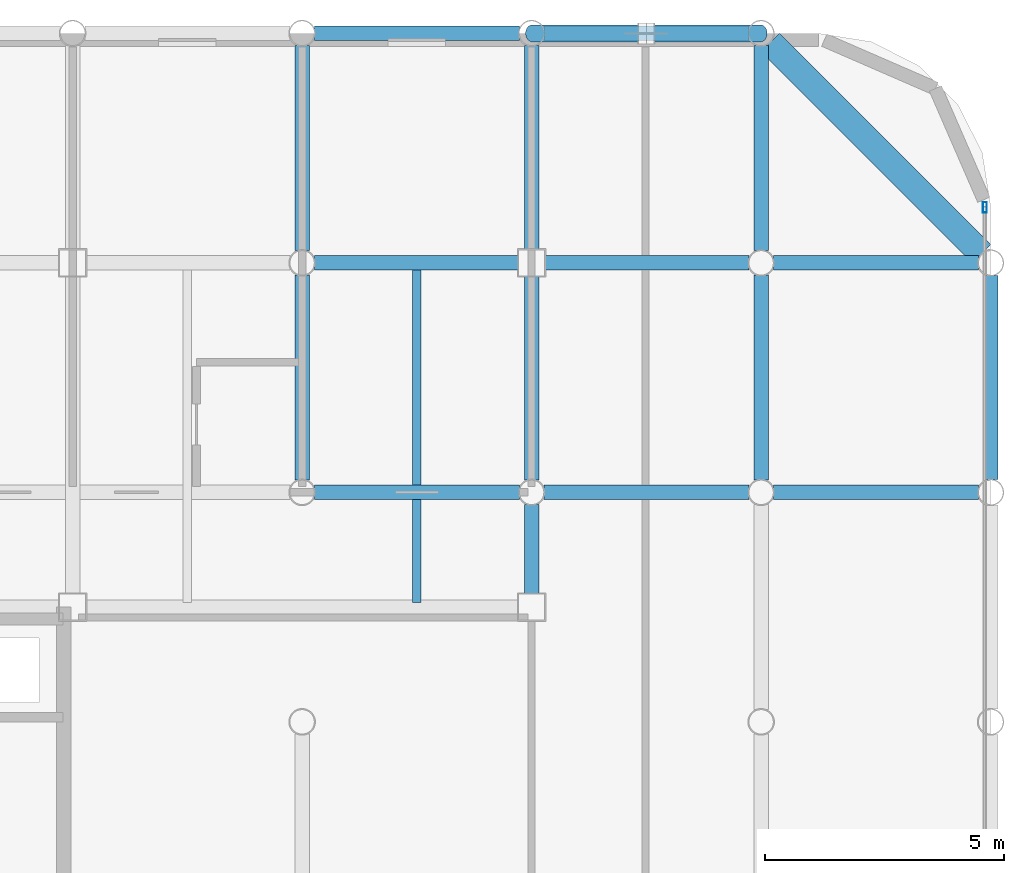
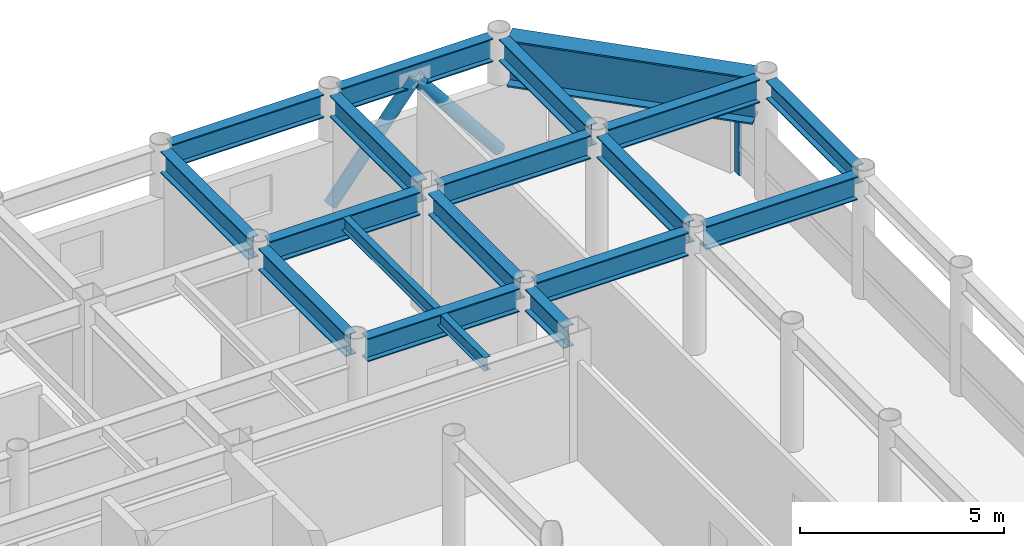
# One storey, part 15 of 22: 18 beams, 3 members, 1 element without a shape of its own.
"""IFC4 building model written with IfcOpenShell, lengths in metres."""

from ifc_helpers import new_model, si_unit, direction, frame, origin, origin_2d, place, context, subcontext, project, spatial, hollow_rectangle, hollow_circle, i_section, extrude, material, layer, layer_set, material_profile, profile_set, type_object, element, aggregate, save


model = new_model("IFC4")

# Units and contexts
model_context = context("Model", 3, precision=1e-05, world=origin(), true_north=direction((0.0, 1.0)))
body_context = subcontext(model_context, "Body", "Model", "MODEL_VIEW")
ifc_project = project(units=[si_unit("LENGTHUNIT", "METRE"), si_unit("AREAUNIT", "SQUARE_METRE"), si_unit("VOLUMEUNIT", "CUBIC_METRE"), si_unit("PLANEANGLEUNIT", "RADIAN"), si_unit("MASSUNIT", "GRAM", prefix="KILO")], contexts=[model_context])

# Site, building, storey
site_placement = place(None, origin())
site = spatial("IfcSite", under=ifc_project, at=site_placement, CompositionType="ELEMENT")
building_placement = place(site_placement, origin())
building = spatial("IfcBuilding", under=site, at=building_placement, Name="Kallvorn Hotel Tower", CompositionType="ELEMENT")
storey_placement = place(building_placement, frame((0.0, 0.0, 199.199951171875)))
storey = spatial("IfcBuildingStorey", under=building, at=storey_placement, Name="L49", CompositionType="ELEMENT", Elevation=199.199951171875)

# Beams
ifc_material_1 = material(Name="Structural steel S355JR", Category="steel")
ifc_material_profile_1 = material_profile(ifc_material_1, i_section(OverallWidth=0.300048828125, OverallDepth=0.550048828125, WebThickness=0.014892578125, FlangeThickness=0.029052734375, at=origin_2d()), Name="HE 550 B")
ifc_profile_set_1 = profile_set([ifc_material_profile_1], Name="Structural steel S355JR")
beam_type_1 = type_object("IfcBeamType", Name="BM_HE550B", PredefinedType="SPANDREL", material=ifc_profile_set_1)
beam_1_placement = place(storey_placement, frame((33.60009765625, 9.869384765625, 3.39501953125), z_axis=(0.0, 1.0, 0.0), x_axis=(-1.0, 0.0, 0.0)))
element("IfcBeam", 1, at=beam_1_placement, inside=storey, type_object=beam_type_1, Name="L50 Perimeter Spandrel 188", PredefinedType="SPANDREL", context=body_context, shape_type="SweptSolid", body=[
    extrude(i_section(OverallWidth=0.300048828125, OverallDepth=0.550048828125, WebThickness=0.014892578125, FlangeThickness=0.029052734375, at=origin_2d()), origin(), (0.0, 0.0, 1.0), 4.26123046875),
])
ifc_material_2 = material(Name="Structural steel S355JR", Category="steel")
ifc_material_profile_2 = material_profile(ifc_material_2, i_section(OverallWidth=0.300048828125, OverallDepth=0.64990234375, WebThickness=0.01611328125, FlangeThickness=0.031005859375, at=origin_2d()), Name="HE 650 B")
ifc_profile_set_2 = profile_set([ifc_material_profile_2], Name="Structural steel S355JR")
beam_type_2 = type_object("IfcBeamType", Name="BM_HE650B", PredefinedType="BEAM", material=ifc_profile_set_2)
for number, where, z_axis, x_axis, name in (
    (2, (19.199951171875, 9.8544921875, 3.344970703125), (0.0, 1.0, 0.0), (-1.0, 0.0, 0.0), "L50 Primary Y-Girder 133"),
    (3, (19.199951171875, 14.654541015625, 3.344970703125), (0.0, 1.0, 0.0), (-1.0, 0.0, 0.0), "L50 Primary Y-Girder 134"),
):
    element("IfcBeam", number, at=place(storey_placement, frame(where, z_axis=z_axis, x_axis=x_axis)), inside=storey, type_object=beam_type_2, Name=name, PredefinedType="BEAM", context=body_context, shape_type="SweptSolid", body=[
        extrude(i_section(OverallWidth=0.300048828125, OverallDepth=0.64990234375, WebThickness=0.01611328125, FlangeThickness=0.031005859375, at=origin_2d()), origin(), (0.0, 0.0, 1.0), 4.291015625),
    ])
beam_2_placement = place(storey_placement, frame((24.0, 7.47509765625, 3.344970703125), z_axis=(0.0, 1.0, 0.0), x_axis=(-1.0, 0.0, 0.0)))
element("IfcBeam", 4, at=beam_2_placement, inside=storey, type_object=beam_type_2, Name="L50 Primary Y-Girder 139", PredefinedType="BEAM", context=body_context, shape_type="SweptSolid", body=[
    extrude(i_section(OverallWidth=0.300048828125, OverallDepth=0.64990234375, WebThickness=0.01611328125, FlangeThickness=0.031005859375, at=origin_2d()), origin(), (0.0, 0.0, 1.0), 1.870361328125),
])
for number, where, z_axis, x_axis, name in (
    (5, (24.0, 9.8544921875, 3.344970703125), (0.0, 1.0, 0.0), (-1.0, 0.0, 0.0), "L50 Primary Y-Girder 140"),
    (6, (24.0, 14.675048828125, 3.344970703125), (0.0, 1.0, 0.0), (-1.0, 0.0, 0.0), "L50 Primary Y-Girder 141"),
):
    element("IfcBeam", number, at=place(storey_placement, frame(where, z_axis=z_axis, x_axis=x_axis)), inside=storey, type_object=beam_type_2, Name=name, PredefinedType="BEAM", context=body_context, shape_type="SweptSolid", body=[
        extrude(i_section(OverallWidth=0.300048828125, OverallDepth=0.64990234375, WebThickness=0.01611328125, FlangeThickness=0.031005859375, at=origin_2d()), origin(), (0.0, 0.0, 1.0), 4.2705078125),
    ])
for number, where, z_axis, x_axis, name in (
    (7, (28.800048828125, 9.8544921875, 3.344970703125), (0.0, 1.0, 0.0), (-1.0, 0.0, 0.0), "L50 Primary Y-Girder 149"),
    (8, (28.800048828125, 14.654541015625, 3.344970703125), (0.0, 1.0, 0.0), (-1.0, 0.0, 0.0), "L50 Primary Y-Girder 150"),
):
    element("IfcBeam", number, at=place(storey_placement, frame(where, z_axis=z_axis, x_axis=x_axis)), inside=storey, type_object=beam_type_2, Name=name, PredefinedType="BEAM", context=body_context, shape_type="SweptSolid", body=[
        extrude(i_section(OverallWidth=0.300048828125, OverallDepth=0.64990234375, WebThickness=0.01611328125, FlangeThickness=0.031005859375, at=origin_2d()), origin(), (0.0, 0.0, 1.0), 4.291015625),
    ])
ifc_material_3 = material(Name="Structural steel S355JR", Category="steel")
ifc_material_profile_3 = material_profile(ifc_material_3, i_section(OverallWidth=0.300048828125, OverallDepth=0.699951171875, WebThickness=0.01708984375, FlangeThickness=0.031982421875, at=origin_2d()), Name="HE 700 B")
ifc_profile_set_3 = profile_set([ifc_material_profile_3], Name="Structural steel S355JR")
beam_type_3 = type_object("IfcBeamType", Name="BM_HE700B", PredefinedType="BEAM", material=ifc_profile_set_3)
for number, where, z_axis, x_axis, name in (
    (9, (19.45458984375, 9.60009765625, 3.320068359375), (1.0, 0.0, 0.0), (0.0, 1.0, 0.0), "L50 Primary X-Girder 48"),
    (10, (24.25439453125, 9.60009765625, 3.320068359375), (1.0, 0.0, 0.0), (0.0, 1.0, 0.0), "L50 Primary X-Girder 49"),
    (11, (29.054443359375, 9.60009765625, 3.320068359375), (1.0, 0.0, 0.0), (0.0, 1.0, 0.0), "L50 Primary X-Girder 50"),
):
    element("IfcBeam", number, at=place(storey_placement, frame(where, z_axis=z_axis, x_axis=x_axis)), inside=storey, type_object=beam_type_3, Name=name, PredefinedType="BEAM", context=body_context, shape_type="SweptSolid", body=[
        extrude(i_section(OverallWidth=0.300048828125, OverallDepth=0.699951171875, WebThickness=0.01708984375, FlangeThickness=0.031982421875, at=origin_2d()), origin(), (0.0, 0.0, 1.0), 4.291015625),
    ])
for number, where, z_axis, x_axis, name in (
    (12, (19.45458984375, 14.39990234375, 3.320068359375), (1.0, 0.0, 0.0), (0.0, 1.0, 0.0), "L50 Primary X-Girder 58"),
    (13, (24.27490234375, 14.39990234375, 3.320068359375), (1.0, 0.0, 0.0), (0.0, 1.0, 0.0), "L50 Primary X-Girder 59"),
):
    element("IfcBeam", number, at=place(storey_placement, frame(where, z_axis=z_axis, x_axis=x_axis)), inside=storey, type_object=beam_type_3, Name=name, PredefinedType="BEAM", context=body_context, shape_type="SweptSolid", body=[
        extrude(i_section(OverallWidth=0.300048828125, OverallDepth=0.699951171875, WebThickness=0.01708984375, FlangeThickness=0.031982421875, at=origin_2d()), origin(), (0.0, 0.0, 1.0), 4.2705078125),
    ])
for number, where, z_axis, x_axis, name in (
    (14, (29.054443359375, 14.39990234375, 3.320068359375), (1.0, 0.0, 0.0), (0.0, 1.0, 0.0), "L50 Primary X-Girder 60"),
    (15, (19.45458984375, 19.199951171875, 3.320068359375), (1.0, 0.0, 0.0), (0.0, 1.0, 0.0), "L50 Primary X-Girder 71"),
    (16, (24.25439453125, 19.199951171875, 3.320068359375), (1.0, 0.0, 0.0), (0.0, 1.0, 0.0), "L50 Primary X-Girder 72"),
):
    element("IfcBeam", number, at=place(storey_placement, frame(where, z_axis=z_axis, x_axis=x_axis)), inside=storey, type_object=beam_type_3, Name=name, PredefinedType="BEAM", context=body_context, shape_type="SweptSolid", body=[
        extrude(i_section(OverallWidth=0.300048828125, OverallDepth=0.699951171875, WebThickness=0.01708984375, FlangeThickness=0.031982421875, at=origin_2d()), origin(), (0.0, 0.0, 1.0), 4.291015625),
    ])
ifc_material_4 = material(Name="Structural steel S355JR", Category="steel")
ifc_material_profile_4 = material_profile(ifc_material_4, i_section(OverallWidth=0.179931640625, OverallDepth=0.39990234375, WebThickness=0.008544921875, FlangeThickness=0.013427734375, at=origin_2d()), Name="IPE 400")
ifc_profile_set_4 = profile_set([ifc_material_profile_4], Name="Structural steel S355JR")
beam_type_4 = type_object("IfcBeamType", Name="BM_IPE400", PredefinedType="JOIST", material=ifc_profile_set_4)
beam_3_placement = place(storey_placement, frame((21.60009765625, 7.300048828125, 3.469970703125), z_axis=(0.0, 1.0, 0.0), x_axis=(-1.0, 0.0, 0.0)))
element("IfcBeam", 17, at=beam_3_placement, inside=storey, type_object=beam_type_4, Name="L50 Secondary Composite Joist 209", PredefinedType="JOIST", context=body_context, shape_type="SweptSolid", body=[
    extrude(i_section(OverallWidth=0.179931640625, OverallDepth=0.39990234375, WebThickness=0.008544921875, FlangeThickness=0.013427734375, at=origin_2d()), origin(), (0.0, 0.0, 1.0), 7.0),
])
ifc_material_5 = material(Name="Structural steel S355JR", Category="steel")
ifc_material_profile_5 = material_profile(ifc_material_5, i_section(OverallWidth=0.550048828125, OverallDepth=1.39990234375, WebThickness=0.02490234375, FlangeThickness=0.044921875, at=origin_2d()), Name="PG 1400x550x25x45")
ifc_profile_set_5 = profile_set([ifc_material_profile_5], Name="Structural steel S355JR")
beam_type_5 = type_object("IfcBeamType", Name="BM_PG_1400", PredefinedType="BEAM", material=ifc_profile_set_5)
beam_4_placement = place(storey_placement, frame((33.409423828125, 14.590576171875, 2.969970703125), z_axis=(-0.707106781187, 0.707106781187, 0.0), x_axis=(-0.707106781187, -0.707106781187, 0.0)))
element("IfcBeam", 18, at=beam_4_placement, inside=storey, type_object=beam_type_5, Name="L50 Rounded Corner Tie Beam 191", PredefinedType="BEAM", context=body_context, shape_type="SweptSolid", body=[
    extrude(i_section(OverallWidth=0.550048828125, OverallDepth=1.39990234375, WebThickness=0.02490234375, FlangeThickness=0.044921875, at=origin_2d()), origin(), (0.0, 0.0, 1.0), 6.249267578125),
])

# Curtain wall, member
ifc_material_6 = material(Name="Thermally broken black-anodised aluminium AA 6063-T6", Category="aluminium")
ifc_layer = layer(ifc_material_6, 0.22998046875)
ifc_layer_set = layer_set([ifc_layer], Name="CW_SYS_5_HOTEL_HIGH")
curtain_wall_type = type_object("IfcCurtainWallType", Name="CW_SYS_5_HOTEL_HIGH", PredefinedType="USERDEFINED", material=ifc_layer_set)
curtain_wall_placement = place(storey_placement, origin())
curtain_wall = element("IfcCurtainWall", 19, at=curtain_wall_placement, inside=storey, type_object=curtain_wall_type, Name="L49 Dark-Glass Curtain Wall CW-L49-EN", ObjectType="UNITISED CURTAIN WALL", PredefinedType="USERDEFINED")
ifc_material_7 = material(Name="Thermally broken black-anodised aluminium AA 6063-T6", Category="aluminium")
ifc_material_profile_6 = material_profile(ifc_material_7, hollow_rectangle(XDim=0.080078125, YDim=0.219970703125, WallThickness=0.0048828125, at=origin_2d()), Name="MUL 220x80")
ifc_profile_set_6 = profile_set([ifc_material_profile_6], Name="Thermally broken black-anodised aluminium AA 6063-T6")
member_type_1 = type_object("IfcMemberType", Name="CW_MULLION_220x80", PredefinedType="MULLION", material=ifc_profile_set_6)
member_placement = place(storey_placement, frame((33.47998046875, 15.56005859375, 0.02001953125), z_axis=(0.0, 0.0, 1.0), x_axis=(1.0, 0.0, 0.0)))
member = element("IfcMember", 20, at=member_placement, type_object=member_type_1, Name="CW-L49-EN Mullion 01", PredefinedType="MULLION", context=body_context, shape_type="SweptSolid", body=[
    extrude(hollow_rectangle(XDim=0.080078125, YDim=0.219970703125, WallThickness=0.0048828125, at=origin_2d()), origin(), (0.0, 0.0, 1.0), 2.22998046875),
])
aggregate(curtain_wall, [member])

# Members
ifc_material_8 = material(Name="Structural steel S355J2H", Category="steel")
ifc_material_profile_7 = material_profile(ifc_material_8, hollow_circle(Radius=0.177734375, WallThickness=0.01416015625, at=origin_2d()), Name="CHS 355.6x14.2")
ifc_profile_set_7 = profile_set([ifc_material_profile_7], Name="Structural steel S355J2H")
member_type_2 = type_object("IfcMemberType", Name="MBR_EXO_CHS355", PredefinedType="BRACE", material=ifc_profile_set_7)
for number, where, z_axis, x_axis, name in (
    (21, (24.012451171875, 19.199951171875, 0.195556640625), (0.627239379498, 0.0, 0.778826528058), (0.0, 1.0, 0.0), "L49 Exoskeleton K-Brace N2A"),
    (22, (28.78759765625, 19.199951171875, 0.195556640625), (-0.627239379498, 0.0, 0.778826528058), (0.0, -1.0, 0.0), "L49 Exoskeleton K-Brace N2B"),
):
    element("IfcMember", number, at=place(storey_placement, frame(where, z_axis=z_axis, x_axis=x_axis)), inside=storey, type_object=member_type_2, Name=name, PredefinedType="BRACE", context=body_context, shape_type="SweptSolid", body=[
        extrude(hollow_circle(Radius=0.177734375, WallThickness=0.01416015625, at=origin_2d()), origin(), (0.0, 0.0, 1.0), 3.786376953125),
    ])

save(model, "model.ifc")
